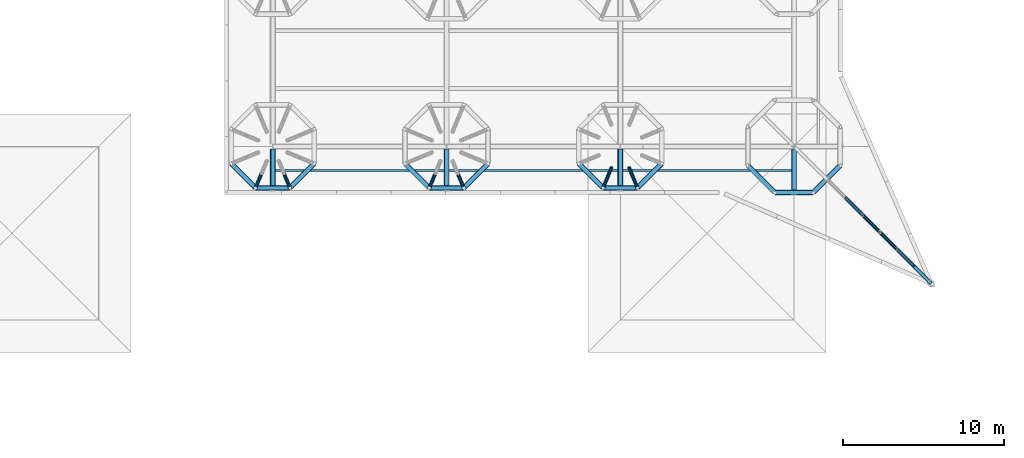
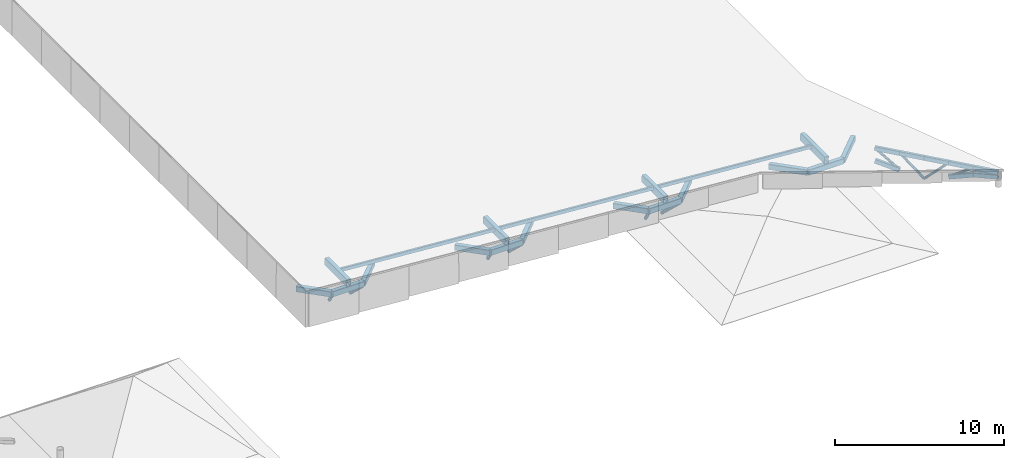
# One storey, part 34 of 95: 19 beams, 18 members.
"""IFC4 building model written with IfcOpenShell, lengths in metres."""

from ifc_helpers import new_model, si_unit, direction, frame, origin, origin_2d, place, context, subcontext, project, spatial, hollow_rectangle, hollow_circle, extrude, clip, halfspace, material, material_profile, profile_set, type_object, element, save


model = new_model("IFC4")

# Units and contexts
model_context = context("Model", 3, precision=1e-05, world=origin(), true_north=direction((0.0, 1.0)))
body_context = subcontext(model_context, "Body", "Model", "MODEL_VIEW")
ifc_project = project(units=[si_unit("LENGTHUNIT", "METRE"), si_unit("AREAUNIT", "SQUARE_METRE"), si_unit("VOLUMEUNIT", "CUBIC_METRE"), si_unit("PLANEANGLEUNIT", "RADIAN"), si_unit("MASSUNIT", "GRAM", prefix="KILO")], contexts=[model_context])

# Site, building, storey
site_placement = place(None, origin())
site = spatial("IfcSite", under=ifc_project, at=site_placement, CompositionType="ELEMENT")
building_placement = place(site_placement, origin())
building = spatial("IfcBuilding", under=site, at=building_placement, Name="Magnolia Steps Interchange", CompositionType="ELEMENT")
storey_placement = place(building_placement, frame((0.0, 0.0, 4.800048828125)))
storey = spatial("IfcBuildingStorey", under=building, at=storey_placement, Name="L01", CompositionType="ELEMENT", Elevation=4.800048828125)

# Beams
ifc_material_1 = material(Name="Steel Q355B", Category="steel")
ifc_material_profile_1 = material_profile(ifc_material_1, hollow_rectangle(XDim=0.300048828125, YDim=0.39990234375, WallThickness=0.013916015625, InnerFilletRadius=0.013916015625, OuterFilletRadius=0.028076171875, at=origin_2d()), Name="RHS400x300x14")
ifc_profile_set_1 = profile_set([ifc_material_profile_1], Name="Steel Q355B")
beam_type_1 = type_object("IfcBeamType", Name="Ring beam RHS400x300x14", PredefinedType="BEAM", material=ifc_profile_set_1)
beam_1_placement = place(storey_placement, frame((147.820068359375, 41.331298828125, 3.3310546875), z_axis=(0.707106781187, -0.707106781187, 0.0), x_axis=(0.707106781187, 0.707106781187, 0.0)))
element("IfcBeam", 1, at=beam_1_placement, inside=storey, type_object=beam_type_1, Name="Ring beam TC01A", PredefinedType="BEAM", context=body_context, shape_type="Clipping", body=[
    clip(clip(extrude(hollow_rectangle(XDim=0.300048828125, YDim=0.39990234375, WallThickness=0.013916015625, InnerFilletRadius=0.013916015625, OuterFilletRadius=0.028076171875, at=origin_2d()), origin(), (0.0, 0.0, 1.0), 2.13720703125), halfspace(frame((0.0, 0.0, 0.0), z_axis=(0.382683433, 0.0, -0.923879532), x_axis=(0.923879532, 0.0, 0.382683433)), False)), halfspace(frame((0.0, 0.0, 2.137202625), z_axis=(0.382683433, 0.0, 0.923879532), x_axis=(0.923879532, 0.0, -0.382683433)), False)),
])
beam_2_placement = place(storey_placement, frame((149.331298828125, 39.820068359375, 3.3310546875), z_axis=(1.0, 0.0, 0.0), x_axis=(0.0, 1.0, 0.0)))
element("IfcBeam", 2, at=beam_2_placement, inside=storey, type_object=beam_type_1, Name="Ring beam TC01A", PredefinedType="BEAM", context=body_context, shape_type="Clipping", body=[
    clip(clip(extrude(hollow_rectangle(XDim=0.300048828125, YDim=0.39990234375, WallThickness=0.013916015625, InnerFilletRadius=0.013916015625, OuterFilletRadius=0.028076171875, at=origin_2d()), origin(), (0.0, 0.0, 1.0), 2.137451171875), halfspace(frame((0.0, 0.0, 0.0), z_axis=(0.382683432, 0.0, -0.923879533), x_axis=(0.923879533, 0.0, 0.382683432)), False)), halfspace(frame((0.0, 0.0, 2.137451172), z_axis=(0.382683432, 0.0, 0.923879533), x_axis=(0.923879533, 0.0, -0.382683432)), False)),
])
for number, where, z_axis, x_axis, name in (
    (3, (151.46875, 39.820068359375, 3.3310546875), (0.707106781187, 0.707106781187, 0.0), (-0.707106781187, 0.707106781187, 0.0), "Ring beam TC01A"),
    (4, (158.6201171875, 41.331298828125, 2.543701171875), (0.707106781187, -0.707106781187, 0.0), (0.707106781187, 0.707106781187, 0.0), "Ring beam TC02A"),
):
    element("IfcBeam", number, at=place(storey_placement, frame(where, z_axis=z_axis, x_axis=x_axis)), inside=storey, type_object=beam_type_1, Name=name, PredefinedType="BEAM", context=body_context, shape_type="Clipping", body=[
        clip(clip(extrude(hollow_rectangle(XDim=0.300048828125, YDim=0.39990234375, WallThickness=0.013916015625, InnerFilletRadius=0.013916015625, OuterFilletRadius=0.028076171875, at=origin_2d()), origin(), (0.0, 0.0, 1.0), 2.13720703125), halfspace(frame((0.0, 0.0, 0.0), z_axis=(0.382683433, 0.0, -0.923879532), x_axis=(0.923879532, 0.0, 0.382683433)), False)), halfspace(frame((0.0, 0.0, 2.137202625), z_axis=(0.382683433, 0.0, 0.923879532), x_axis=(0.923879532, 0.0, -0.382683433)), False)),
    ])
beam_3_placement = place(storey_placement, frame((160.13134765625, 39.820068359375, 2.543701171875), z_axis=(1.0, 0.0, 0.0), x_axis=(0.0, 1.0, 0.0)))
element("IfcBeam", 5, at=beam_3_placement, inside=storey, type_object=beam_type_1, Name="Ring beam TC02A", PredefinedType="BEAM", context=body_context, shape_type="Clipping", body=[
    clip(clip(extrude(hollow_rectangle(XDim=0.300048828125, YDim=0.39990234375, WallThickness=0.013916015625, InnerFilletRadius=0.013916015625, OuterFilletRadius=0.028076171875, at=origin_2d()), origin(), (0.0, 0.0, 1.0), 2.137451171875), halfspace(frame((0.0, 0.0, 0.0), z_axis=(0.382683432, 0.0, -0.923879533), x_axis=(0.923879533, 0.0, 0.382683432)), False)), halfspace(frame((0.0, 0.0, 2.137451172), z_axis=(0.382683432, 0.0, 0.923879533), x_axis=(0.923879533, 0.0, -0.382683432)), False)),
])
beam_4_placement = place(storey_placement, frame((162.268798828125, 39.820068359375, 2.543701171875), z_axis=(0.707106781187, 0.707106781187, 0.0), x_axis=(-0.707106781187, 0.707106781187, 0.0)))
element("IfcBeam", 6, at=beam_4_placement, inside=storey, type_object=beam_type_1, Name="Ring beam TC02A", PredefinedType="BEAM", context=body_context, shape_type="Clipping", body=[
    clip(clip(extrude(hollow_rectangle(XDim=0.300048828125, YDim=0.39990234375, WallThickness=0.013916015625, InnerFilletRadius=0.013916015625, OuterFilletRadius=0.028076171875, at=origin_2d()), origin(), (0.0, 0.0, 1.0), 2.13720703125), halfspace(frame((0.0, 0.0, 0.0), z_axis=(0.382683433, 0.0, -0.923879532), x_axis=(0.923879532, 0.0, 0.382683433)), False)), halfspace(frame((0.0, 0.0, 2.137202625), z_axis=(0.382683433, 0.0, 0.923879532), x_axis=(0.923879532, 0.0, -0.382683433)), False)),
])
beam_5_placement = place(storey_placement, frame((169.419921875, 41.331298828125, 1.756103515625), z_axis=(0.707163891131, -0.707049666629, 0.0), x_axis=(0.707049666629, 0.707163891131, 0.0)))
element("IfcBeam", 7, at=beam_5_placement, inside=storey, type_object=beam_type_1, Name="Ring beam TC03A", PredefinedType="BEAM", context=body_context, shape_type="Clipping", body=[
    clip(clip(extrude(hollow_rectangle(XDim=0.300048828125, YDim=0.39990234375, WallThickness=0.013916015625, InnerFilletRadius=0.013916015625, OuterFilletRadius=0.028076171875, at=origin_2d()), origin(), (0.0, 0.0, 1.0), 2.137451171875), halfspace(frame((0.0, 0.0, 0.0), z_axis=(0.382758052, 0.0, -0.92384862), x_axis=(0.923848621, 0.0, 0.382758052)), False)), halfspace(frame((0.0, 0.0, 2.137375265), z_axis=(0.382608811, 0.0, 0.923910438), x_axis=(0.923910438, 0.0, -0.382608811)), False)),
])
beam_6_placement = place(storey_placement, frame((170.931396484375, 39.820068359375, 1.756103515625), z_axis=(1.0, 0.0, 0.0), x_axis=(0.0, 1.0, 0.0)))
element("IfcBeam", 8, at=beam_6_placement, inside=storey, type_object=beam_type_1, Name="Ring beam TC03A", PredefinedType="BEAM", context=body_context, shape_type="Clipping", body=[
    clip(clip(extrude(hollow_rectangle(XDim=0.300048828125, YDim=0.39990234375, WallThickness=0.013916015625, InnerFilletRadius=0.013916015625, OuterFilletRadius=0.028076171875, at=origin_2d()), origin(), (0.0, 0.0, 1.0), 2.13720703125), halfspace(frame((0.0, 0.0, 0.0), z_axis=(0.382683432, 0.0, -0.923879533), x_axis=(0.923879533, 0.0, 0.382683432)), False)), halfspace(frame((0.0, 0.0, 2.137207031), z_axis=(0.382683432, 0.0, 0.923879533), x_axis=(0.923879533, 0.0, -0.382683432)), False)),
])
beam_7_placement = place(storey_placement, frame((173.068603515625, 39.820068359375, 1.756103515625), z_axis=(0.707163891131, 0.707049666629, 0.0), x_axis=(-0.707049666629, 0.707163891131, 0.0)))
element("IfcBeam", 9, at=beam_7_placement, inside=storey, type_object=beam_type_1, Name="Ring beam TC03A", PredefinedType="BEAM", context=body_context, shape_type="Clipping", body=[
    clip(clip(extrude(hollow_rectangle(XDim=0.300048828125, YDim=0.39990234375, WallThickness=0.013916015625, InnerFilletRadius=0.013916015625, OuterFilletRadius=0.028076171875, at=origin_2d()), origin(), (0.0, 0.0, 1.0), 2.137451171875), halfspace(frame((0.0, 0.0, 0.0), z_axis=(0.382608811, 0.0, -0.923910438), x_axis=(0.923910438, 0.0, 0.382608811)), False)), halfspace(frame((0.0, 0.0, 2.137375265), z_axis=(0.382758052, 0.0, 0.92384862), x_axis=(0.923848621, 0.0, -0.382758052)), False)),
])
beam_8_placement = place(storey_placement, frame((179.93603515625, 41.213623046875, 0.96875), z_axis=(0.707106781187, -0.707106781187, 0.0), x_axis=(0.707106781187, 0.707106781187, 0.0)))
element("IfcBeam", 10, at=beam_8_placement, inside=storey, type_object=beam_type_1, Name="Ring beam TC04A", PredefinedType="BEAM", context=body_context, shape_type="Clipping", body=[
    clip(clip(extrude(hollow_rectangle(XDim=0.300048828125, YDim=0.39990234375, WallThickness=0.013916015625, InnerFilletRadius=0.013916015625, OuterFilletRadius=0.028076171875, at=origin_2d()), origin(), (0.0, 0.0, 1.0), 2.37255859375), halfspace(frame((0.0, 0.0, 0.0), z_axis=(0.382683433, 0.0, -0.923879532), x_axis=(0.923879532, 0.0, 0.382683433)), False)), halfspace(frame((0.0, 0.0, 2.372674707), z_axis=(0.382683433, 0.0, 0.923879532), x_axis=(0.923879532, 0.0, -0.382683433)), False)),
])
beam_9_placement = place(storey_placement, frame((181.61376953125, 39.535888671875, 0.96875), z_axis=(1.0, 0.0, 0.0), x_axis=(0.0, 1.0, 0.0)))
element("IfcBeam", 11, at=beam_9_placement, inside=storey, type_object=beam_type_1, Name="Ring beam TC04A", PredefinedType="BEAM", context=body_context, shape_type="Clipping", body=[
    clip(clip(extrude(hollow_rectangle(XDim=0.300048828125, YDim=0.39990234375, WallThickness=0.013916015625, InnerFilletRadius=0.013916015625, OuterFilletRadius=0.028076171875, at=origin_2d()), origin(), (0.0, 0.0, 1.0), 2.37255859375), halfspace(frame((0.0, 0.0, 0.0), z_axis=(0.382683432, 0.0, -0.923879533), x_axis=(0.923879533, 0.0, 0.382683432)), False)), halfspace(frame((0.0, 0.0, 2.372558594), z_axis=(0.382683432, 0.0, 0.923879533), x_axis=(0.923879533, 0.0, -0.382683432)), False)),
])
beam_10_placement = place(storey_placement, frame((183.986328125, 39.535888671875, 0.96875), z_axis=(0.707106781187, 0.707106781187, 0.0), x_axis=(-0.707106781187, 0.707106781187, 0.0)))
element("IfcBeam", 12, at=beam_10_placement, inside=storey, type_object=beam_type_1, Name="Ring beam TC04A", PredefinedType="BEAM", context=body_context, shape_type="Clipping", body=[
    clip(clip(extrude(hollow_rectangle(XDim=0.300048828125, YDim=0.39990234375, WallThickness=0.013916015625, InnerFilletRadius=0.013916015625, OuterFilletRadius=0.028076171875, at=origin_2d()), origin(), (0.0, 0.0, 1.0), 2.37255859375), halfspace(frame((0.0, 0.0, 0.0), z_axis=(0.382683433, 0.0, -0.923879532), x_axis=(0.923879532, 0.0, 0.382683433)), False)), halfspace(frame((0.0, 0.0, 2.372674707), z_axis=(0.382683433, 0.0, 0.923879532), x_axis=(0.923879532, 0.0, -0.382683433)), False)),
])
ifc_material_2 = material(Name="Steel Q355B", Category="steel")
ifc_material_profile_2 = material_profile(ifc_material_2, hollow_rectangle(XDim=0.300048828125, YDim=0.5, WallThickness=0.01611328125, InnerFilletRadius=0.01611328125, OuterFilletRadius=0.031982421875, at=origin_2d()), Name="RHS500x300x16")
ifc_profile_set_2 = profile_set([ifc_material_profile_2], Name="Steel Q355B")
beam_type_2 = type_object("IfcBeamType", Name="Roof beam RHS500x300x16", PredefinedType="BEAM", material=ifc_profile_set_2)
for number, where, z_axis, x_axis, name in (
    (13, (150.39990234375, 42.25, 3.830322265625), (0.0, -1.0, 0.0), (0.997352109794, 0.0, -0.072723923782), "Roof beam"),
    (14, (161.199951171875, 42.25, 3.042724609375), (0.0, -1.0, 0.0), (0.997352109794, 0.0, -0.072723923782), "Roof beam"),
    (15, (172.0, 42.25, 2.25537109375), (0.0, -1.0, 0.0), (0.997352109794, 0.0, -0.072723923782), "Roof beam"),
):
    element("IfcBeam", number, at=place(storey_placement, frame(where, z_axis=z_axis, x_axis=x_axis)), inside=storey, type_object=beam_type_2, Name=name, PredefinedType="BEAM", context=body_context, shape_type="SweptSolid", body=[
        extrude(hollow_rectangle(XDim=0.300048828125, YDim=0.5, WallThickness=0.01611328125, InnerFilletRadius=0.01611328125, OuterFilletRadius=0.031982421875, at=origin_2d()), origin(), (0.0, 0.0, 1.0), 2.590087890625),
    ])
beam_11_placement = place(storey_placement, frame((182.800048828125, 42.25, 1.4677734375), z_axis=(0.0, -1.0, 0.0), x_axis=(0.997352109794, 0.0, -0.072723923782)))
element("IfcBeam", 16, at=beam_11_placement, inside=storey, type_object=beam_type_2, Name="Roof beam", PredefinedType="BEAM", context=body_context, shape_type="SweptSolid", body=[
    extrude(hollow_rectangle(XDim=0.300048828125, YDim=0.5, WallThickness=0.01611328125, InnerFilletRadius=0.01611328125, OuterFilletRadius=0.031982421875, at=origin_2d()), origin(), (0.0, 0.0, 1.0), 2.85009765625),
])
ifc_material_3 = material(Name="Steel Q355B", Category="steel")
ifc_material_profile_3 = material_profile(ifc_material_3, hollow_rectangle(XDim=0.14990234375, YDim=0.25, WallThickness=0.008056640625, InnerFilletRadius=0.008056640625, OuterFilletRadius=0.01611328125, at=origin_2d()), Name="RHS250x150x8")
ifc_profile_set_3 = profile_set([ifc_material_profile_3], Name="Steel Q355B")
beam_type_3 = type_object("IfcBeamType", Name="Roof edge joist RHS250x150x8", PredefinedType="BEAM", material=ifc_profile_set_3)
for number, where, z_axis, x_axis, name in (
    (17, (150.550048828125, 40.89990234375, 3.944580078125), (0.997352133906, 0.0, -0.072723593097), (0.0, 1.0, 0.0), "Roof edge joist"),
    (18, (161.35009765625, 40.89990234375, 3.1572265625), (0.997350451653, 0.0, -0.072746660315), (0.0, 1.0, 0.0), "Roof edge joist"),
    (19, (172.14990234375, 40.89990234375, 2.36962890625), (0.997352133906, 0.0, -0.072723593097), (0.0, 1.0, 0.0), "Roof edge joist"),
):
    element("IfcBeam", number, at=place(storey_placement, frame(where, z_axis=z_axis, x_axis=x_axis)), inside=storey, type_object=beam_type_3, Name=name, PredefinedType="BEAM", context=body_context, shape_type="SweptSolid", body=[
        extrude(hollow_rectangle(XDim=0.14990234375, YDim=0.25, WallThickness=0.008056640625, InnerFilletRadius=0.008056640625, OuterFilletRadius=0.01611328125, at=origin_2d()), origin(), (0.0, 0.0, 1.0), 10.52783203125),
    ])

# Members
ifc_material_4 = material(Name="Steel Q355B", Category="steel")
ifc_material_profile_4 = material_profile(ifc_material_4, hollow_rectangle(XDim=0.199951171875, YDim=0.300048828125, WallThickness=0.011962890625, InnerFilletRadius=0.011962890625, OuterFilletRadius=0.02392578125, at=origin_2d()), Name="RHS300x200x12")
ifc_profile_set_4 = profile_set([ifc_material_profile_4], Name="Steel Q355B")
member_type_1 = type_object("IfcMemberType", Name="Roof truss RHS300x200x12", PredefinedType="USERDEFINED", material=ifc_profile_set_4)
member_1_placement = place(storey_placement, frame((185.99609375, 39.203857421875, 1.3349609375), z_axis=(0.706169125443, -0.706169125443, -0.051481380534), x_axis=(0.704299267169, 0.708043195164, -0.051355389664)))
element("IfcMember", 20, at=member_1_placement, inside=storey, type_object=member_type_1, Name="Spike truss SP-C-SE top chord", ObjectType="Roof truss", PredefinedType="USERDEFINED", context=body_context, shape_type="SweptSolid", body=[
    extrude(hollow_rectangle(XDim=0.199951171875, YDim=0.300048828125, WallThickness=0.011962890625, InnerFilletRadius=0.011962890625, OuterFilletRadius=0.02392578125, at=origin_2d()), origin(), (0.0, 0.0, 1.0), 1.508056640625),
])
member_2_placement = place(storey_placement, frame((187.06103515625, 38.138916015625, 1.25732421875), z_axis=(0.706249861067, -0.706087951424, -0.05148726635), x_axis=(0.704217878808, 0.708124144993, -0.05135537406)))
element("IfcMember", 21, at=member_2_placement, inside=storey, type_object=member_type_1, Name="Spike truss SP-C-SE top chord", ObjectType="Roof truss", PredefinedType="USERDEFINED", context=body_context, shape_type="SweptSolid", body=[
    extrude(hollow_rectangle(XDim=0.199951171875, YDim=0.300048828125, WallThickness=0.011962890625, InnerFilletRadius=0.011962890625, OuterFilletRadius=0.02392578125, at=origin_2d()), origin(), (0.0, 0.0, 1.0), 1.5078125),
])
member_3_placement = place(storey_placement, frame((188.1259765625, 37.07421875, 1.1796875), z_axis=(0.706169125443, -0.706169125443, -0.051481380534), x_axis=(0.704299267169, 0.708043195164, -0.051355389664)))
element("IfcMember", 22, at=member_3_placement, inside=storey, type_object=member_type_1, Name="Spike truss SP-C-SE top chord", ObjectType="Roof truss", PredefinedType="USERDEFINED", context=body_context, shape_type="SweptSolid", body=[
    extrude(hollow_rectangle(XDim=0.199951171875, YDim=0.300048828125, WallThickness=0.011962890625, InnerFilletRadius=0.011962890625, OuterFilletRadius=0.02392578125, at=origin_2d()), origin(), (0.0, 0.0, 1.0), 1.508056640625),
])
member_4_placement = place(storey_placement, frame((189.19091796875, 36.00927734375, 1.10205078125), z_axis=(0.706087951424, -0.706249861067, -0.05148726635), x_axis=(0.704380218234, 0.707962664069, -0.05135537406)))
element("IfcMember", 23, at=member_4_placement, inside=storey, type_object=member_type_1, Name="Spike truss SP-C-SE top chord", ObjectType="Roof truss", PredefinedType="USERDEFINED", context=body_context, shape_type="SweptSolid", body=[
    extrude(hollow_rectangle(XDim=0.199951171875, YDim=0.300048828125, WallThickness=0.011962890625, InnerFilletRadius=0.011962890625, OuterFilletRadius=0.02392578125, at=origin_2d()), origin(), (0.0, 0.0, 1.0), 1.5078125),
])
member_5_placement = place(storey_placement, frame((190.255615234375, 34.9443359375, 1.0244140625), z_axis=(0.706163230782, -0.706163230782, -0.051642840582), x_axis=(0.704293396165, 0.708049066168, -0.051354960981)))
element("IfcMember", 24, at=member_5_placement, inside=storey, type_object=member_type_1, Name="Spike truss SP-C-SE top chord", ObjectType="Roof truss", PredefinedType="USERDEFINED", context=body_context, shape_type="SweptSolid", body=[
    extrude(hollow_rectangle(XDim=0.199951171875, YDim=0.300048828125, WallThickness=0.011962890625, InnerFilletRadius=0.011962890625, OuterFilletRadius=0.02392578125, at=origin_2d()), origin(), (0.0, 0.0, 1.0), 1.508056640625),
])
member_6_placement = place(storey_placement, frame((185.99609375, 39.203857421875, 0.433837890625), z_axis=(0.685737244518, -0.685737244518, -0.243985374482), x_axis=(0.697092247918, 0.715177425125, -0.050829602434)))
element("IfcMember", 25, at=member_6_placement, inside=storey, type_object=member_type_1, Name="Spike truss SP-C-SE bottom chord", ObjectType="Roof truss", PredefinedType="USERDEFINED", context=body_context, shape_type="SweptSolid", body=[
    extrude(hollow_rectangle(XDim=0.199951171875, YDim=0.300048828125, WallThickness=0.011962890625, InnerFilletRadius=0.011962890625, OuterFilletRadius=0.02392578125, at=origin_2d()), origin(), (0.0, 0.0, 1.0), 1.552978515625),
])
member_7_placement = place(storey_placement, frame((189.19091796875, 36.00927734375, 0.10595703125), z_axis=(0.680985344595, -0.681141498079, 0.268896299792), x_axis=(0.716457642638, 0.695672272945, -0.052235380348)))
element("IfcMember", 26, at=member_7_placement, inside=storey, type_object=member_type_1, Name="Spike truss SP-C-SE bottom chord", ObjectType="Roof truss", PredefinedType="USERDEFINED", context=body_context, shape_type="SweptSolid", body=[
    extrude(hollow_rectangle(XDim=0.199951171875, YDim=0.300048828125, WallThickness=0.011962890625, InnerFilletRadius=0.011962890625, OuterFilletRadius=0.02392578125, at=origin_2d()), origin(), (0.0, 0.0, 1.0), 1.5634765625),
])
member_8_placement = place(storey_placement, frame((190.255615234375, 34.9443359375, 0.5263671875), z_axis=(0.704859418147, -0.704859418147, 0.079664303793), x_axis=(0.709076777806, 0.703233132581, -0.051703814343)))
element("IfcMember", 27, at=member_8_placement, inside=storey, type_object=member_type_1, Name="Spike truss SP-C-SE bottom chord", ObjectType="Roof truss", PredefinedType="USERDEFINED", context=body_context, shape_type="SweptSolid", body=[
    extrude(hollow_rectangle(XDim=0.199951171875, YDim=0.300048828125, WallThickness=0.011962890625, InnerFilletRadius=0.011962890625, OuterFilletRadius=0.02392578125, at=origin_2d()), origin(), (0.0, 0.0, 1.0), 1.5107421875),
])
ifc_material_5 = material(Name="Steel Q355B", Category="steel")
ifc_material_profile_5 = material_profile(ifc_material_5, hollow_circle(Radius=0.083984375, WallThickness=0.008056640625, at=origin_2d()), Name="CHS168x8")
ifc_profile_set_5 = profile_set([ifc_material_profile_5], Name="Steel Q355B")
member_type_2 = type_object("IfcMemberType", Name="Roof truss diagonal CHS168x8", PredefinedType="USERDEFINED", material=ifc_profile_set_5)
member_9_placement = place(storey_placement, frame((185.99609375, 39.203857421875, 1.3349609375), z_axis=(0.53879312992, -0.53879312992, -0.647614025715), x_axis=(0.676001180482, 0.735250024981, -0.049293049724)))
element("IfcMember", 28, at=member_9_placement, inside=storey, type_object=member_type_2, Name="Spike truss SP-C-SE diagonal", ObjectType="Roof truss diagonal", PredefinedType="USERDEFINED", context=body_context, shape_type="SweptSolid", body=[
    extrude(hollow_circle(Radius=0.083984375, WallThickness=0.008056640625, at=origin_2d()), origin(), (0.0, 0.0, 1.0), 1.9765625),
])
member_10_placement = place(storey_placement, frame((187.06103515625, 38.138916015625, 1.25732421875), z_axis=(0.489238523392, -0.489126364171, -0.722081066849), x_axis=(0.669241583323, 0.741440505204, -0.048802462991)))
element("IfcMember", 29, at=member_10_placement, inside=storey, type_object=member_type_2, Name="Spike truss SP-C-SE diagonal", ObjectType="Roof truss diagonal", PredefinedType="USERDEFINED", context=body_context, shape_type="SweptSolid", body=[
    extrude(hollow_circle(Radius=0.083984375, WallThickness=0.008056640625, at=origin_2d()), origin(), (0.0, 0.0, 1.0), 2.1767578125),
])
member_11_placement = place(storey_placement, frame((188.1259765625, 37.07421875, -0.314453125), z_axis=(0.515078853082, -0.515078853082, 0.685118639519), x_axis=(0.741096960486, 0.669219843452, -0.054037915288)))
element("IfcMember", 30, at=member_11_placement, inside=storey, type_object=member_type_2, Name="Spike truss SP-C-SE diagonal", ObjectType="Roof truss diagonal", PredefinedType="USERDEFINED", context=body_context, shape_type="SweptSolid", body=[
    extrude(hollow_circle(Radius=0.083984375, WallThickness=0.008056640625, at=origin_2d()), origin(), (0.0, 0.0, 1.0), 2.067626953125),
])
member_12_placement = place(storey_placement, frame((189.19091796875, 36.00927734375, 0.10595703125), z_axis=(0.603613740959, -0.603752152732, 0.520705089083), x_axis=(0.728727518502, 0.682739738622, -0.053128646549)))
element("IfcMember", 31, at=member_12_placement, inside=storey, type_object=member_type_2, Name="Spike truss SP-C-SE diagonal", ObjectType="Roof truss diagonal", PredefinedType="USERDEFINED", context=body_context, shape_type="SweptSolid", body=[
    extrude(hollow_circle(Radius=0.083984375, WallThickness=0.008056640625, at=origin_2d()), origin(), (0.0, 0.0, 1.0), 1.763916015625),
])
ifc_material_6 = material(Name="Steel Q355B", Category="steel")
ifc_material_profile_6 = material_profile(ifc_material_6, hollow_circle(Radius=0.109619140625, WallThickness=0.010009765625, at=origin_2d()), Name="CHS219x10")
ifc_profile_set_6 = profile_set([ifc_material_profile_6], Name="Steel Q355B")
member_type_3 = type_object("IfcMemberType", Name="Tree rib CHS219x10", PredefinedType="USERDEFINED", material=ifc_profile_set_6)
member_13_placement = place(storey_placement, frame((149.69921875, 40.708251953125, 2.20263671875), z_axis=(-0.275282013715, -0.664549413336, 0.694689779801), x_axis=(0.92387135647, -0.382703170478, 0.0)))
element("IfcMember", 32, at=member_13_placement, inside=storey, type_object=member_type_3, Name="Tree rib TC01A", ObjectType="TREE RIB", PredefinedType="USERDEFINED", context=body_context, shape_type="SweptSolid", body=[
    extrude(hollow_circle(Radius=0.109619140625, WallThickness=0.010009765625, at=origin_2d()), origin(), (0.0, 0.0, 1.0), 1.33642578125),
])
for number, where, z_axis, x_axis, name in (
    (33, (151.1005859375, 40.708251953125, 2.20263671875), (0.275450827185, -0.664515987598, 0.694654838053), (0.923781550934, 0.382919895219, 0.0), "Tree rib TC01A"),
    (34, (160.499267578125, 40.708251953125, 1.4150390625), (-0.275247082978, -0.664465088171, 0.694784275811), (0.92387135647, -0.382703170478, 0.0), "Tree rib TC02A"),
    (35, (161.900634765625, 40.708251953125, 1.4150390625), (0.275415878541, -0.664431675155, 0.694749338177), (0.923781550934, 0.382919895219, 0.0), "Tree rib TC02A"),
):
    element("IfcMember", number, at=place(storey_placement, frame(where, z_axis=z_axis, x_axis=x_axis)), inside=storey, type_object=member_type_3, Name=name, ObjectType="TREE RIB", PredefinedType="USERDEFINED", context=body_context, shape_type="SweptSolid", body=[
        extrude(hollow_circle(Radius=0.109619140625, WallThickness=0.010009765625, at=origin_2d()), origin(), (0.0, 0.0, 1.0), 1.336669921875),
    ])
for number, where, z_axis, x_axis, name in (
    (36, (171.4521484375, 41.0771484375, 0.241943359375), (-0.275280629708, -0.664519438523, 0.694719001275), (0.923865933156, -0.382716262463, 0.0), "Tree rib TC03A"),
    (37, (172.5478515625, 41.0771484375, 0.241943359375), (0.275280629708, -0.664519438523, 0.694719001275), (0.923865933156, 0.382716262463, 0.0), "Tree rib TC03A"),
):
    element("IfcMember", number, at=place(storey_placement, frame(where, z_axis=z_axis, x_axis=x_axis)), inside=storey, type_object=member_type_3, Name=name, ObjectType="TREE RIB", PredefinedType="USERDEFINED", context=body_context, shape_type="SweptSolid", body=[
        extrude(hollow_circle(Radius=0.109619140625, WallThickness=0.010009765625, at=origin_2d()), origin(), (0.0, 0.0, 1.0), 1.8916015625),
    ])

save(model, "model.ifc")
